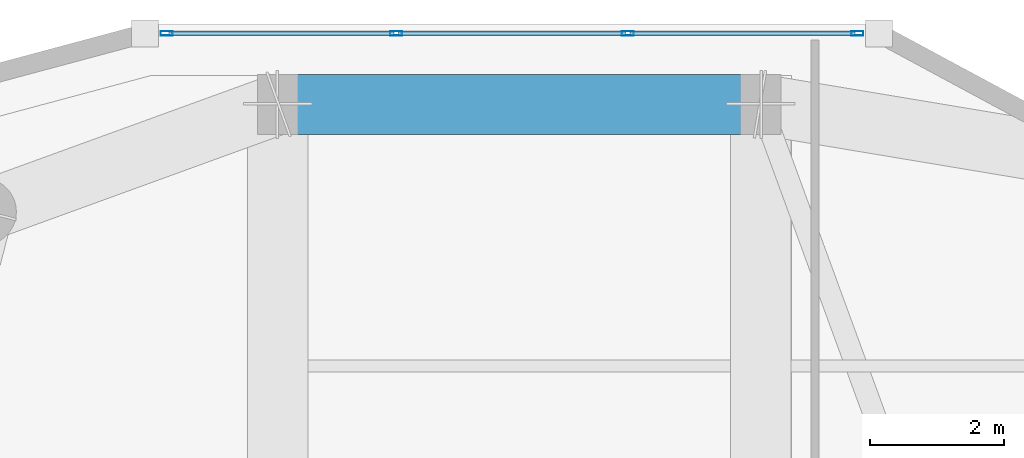
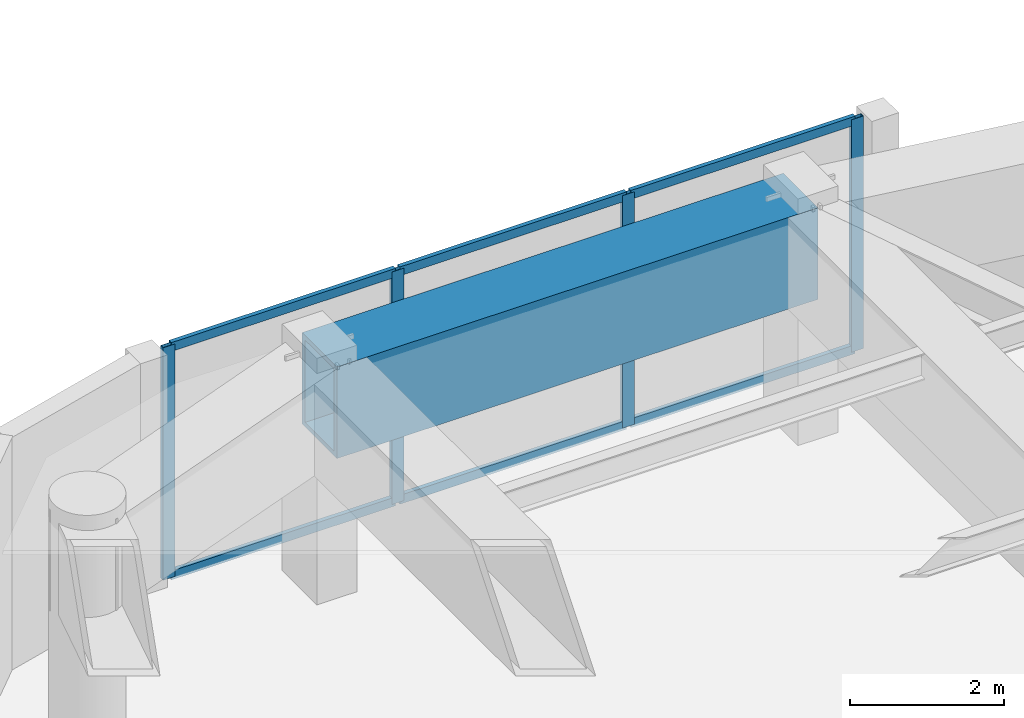
# One storey, part 10 of 21: 10 members, 1 beam, 1 element without a shape of its own.
"""IFC4 building model written with IfcOpenShell, lengths in metres."""

from ifc_helpers import new_model, si_unit, direction, frame, origin, origin_2d, place, context, subcontext, project, spatial, hollow_rectangle, extrude, material, layer, layer_set, material_profile, profile_set, type_object, element, aggregate, save


model = new_model("IFC4")

# Units and contexts
model_context = context("Model", 3, precision=1e-05, world=origin(), true_north=direction((0.0, 1.0)))
body_context = subcontext(model_context, "Body", "Model", "MODEL_VIEW")
ifc_project = project(units=[si_unit("LENGTHUNIT", "METRE"), si_unit("AREAUNIT", "SQUARE_METRE"), si_unit("VOLUMEUNIT", "CUBIC_METRE"), si_unit("PLANEANGLEUNIT", "RADIAN"), si_unit("MASSUNIT", "GRAM", prefix="KILO")], contexts=[model_context])

# Site, building, storey
site_placement = place(None, origin())
site = spatial("IfcSite", under=ifc_project, at=site_placement, CompositionType="ELEMENT")
building_placement = place(site_placement, origin())
building = spatial("IfcBuilding", under=site, at=building_placement, Name="Kiyonajd Concourse Tower", CompositionType="ELEMENT")
storey_placement = place(building_placement, frame((0.0, 0.0, 251.10009765625)))
storey = spatial("IfcBuildingStorey", under=building, at=storey_placement, Name="L63", CompositionType="ELEMENT", Elevation=251.10009765625)

# Beam
ifc_material_1 = material(Name="Steel ASTM A572 Grade 50", Category="steel")
ifc_material_profile_1 = material_profile(ifc_material_1, hollow_rectangle(XDim=0.89990234375, YDim=1.449951171875, WallThickness=0.074951171875, at=origin_2d()), Name="BOX-1450x900x75")
ifc_profile_set_1 = profile_set([ifc_material_profile_1], Name="Steel ASTM A572 Grade 50")
beam_type = type_object("IfcBeamType", Name="BM-XFER-1800", PredefinedType="BEAM", material=ifc_profile_set_1)
beam_placement = place(storey_placement, frame((39.60009765625, 61.199951171875, 2.934814453125), z_axis=(-1.0, 0.0, 0.0), x_axis=(0.0, -1.0, 0.0)))
element("IfcBeam", 1, at=beam_placement, inside=storey, type_object=beam_type, Name="L63 Perimeter Bundled Tube Spandrel", PredefinedType="BEAM", context=body_context, shape_type="SweptSolid", body=[
    extrude(hollow_rectangle(XDim=0.89990234375, YDim=1.449951171875, WallThickness=0.074951171875, at=origin_2d()), origin(), (0.0, 0.0, 1.0), 7.2001953125),
])

# Curtain wall, members
ifc_material_2 = material(Name="Thermally Broken Anodised Aluminium", Category="aluminium")
ifc_layer = layer(ifc_material_2, 0.179931640625)
ifc_layer_set = layer_set([ifc_layer], Name="Thermally Broken Anodised Aluminium")
curtain_wall_type = type_object("IfcCurtainWallType", Name="CW-SYS-04", PredefinedType="NOTDEFINED", material=ifc_layer_set)
curtain_wall_placement = place(storey_placement, origin())
curtain_wall = element("IfcCurtainWall", 2, at=curtain_wall_placement, inside=storey, type_object=curtain_wall_type, Name="L63 Unitised Curtain Wall CW4", PredefinedType="NOTDEFINED")
ifc_material_profile_2 = material_profile(ifc_material_2, hollow_rectangle(XDim=0.06494140625, YDim=0.179931640625, WallThickness=0.00390625, at=origin_2d()), Name="MULL-65x180")
ifc_profile_set_2 = profile_set([ifc_material_profile_2], Name="Thermally Broken Anodised Aluminium")
member_type_1 = type_object("IfcMemberType", Name="MB-CW-MULL1", PredefinedType="MULLION", material=ifc_profile_set_2)
member_1_placement = place(storey_placement, frame((30.740966796875, 62.260009765625, 0.0), z_axis=(0.0, 0.0, 1.0), x_axis=(0.0, 1.0, 0.0)))
member_1 = element("IfcMember", 3, at=member_1_placement, type_object=member_type_1, Name="CW4 mullion 1", PredefinedType="MULLION", context=body_context, shape_type="SweptSolid", body=[
    extrude(hollow_rectangle(XDim=0.06494140625, YDim=0.179931640625, WallThickness=0.00390625, at=origin_2d()), origin(), (0.0, 0.0, 1.0), 3.679931640625),
])
member_2_placement = place(storey_placement, frame((34.163818359375, 62.260009765625, 0.0), z_axis=(0.0, 0.0, 1.0), x_axis=(0.0, 1.0, 0.0)))
member_2 = element("IfcMember", 4, at=member_2_placement, type_object=member_type_1, Name="CW4 mullion 2", PredefinedType="MULLION", context=body_context, shape_type="SweptSolid", body=[
    extrude(hollow_rectangle(XDim=0.06494140625, YDim=0.179931640625, WallThickness=0.00390625, at=origin_2d()), origin(), (0.0, 0.0, 1.0), 3.679931640625),
])
member_3_placement = place(storey_placement, frame((37.619384765625, 62.260009765625, 0.0), z_axis=(0.0, 0.0, 1.0), x_axis=(0.0, 1.0, 0.0)))
member_3 = element("IfcMember", 5, at=member_3_placement, type_object=member_type_1, Name="CW4 mullion 3", PredefinedType="MULLION", context=body_context, shape_type="SweptSolid", body=[
    extrude(hollow_rectangle(XDim=0.06494140625, YDim=0.179931640625, WallThickness=0.00390625, at=origin_2d()), origin(), (0.0, 0.0, 1.0), 3.679931640625),
])
member_4_placement = place(storey_placement, frame((41.042236328125, 62.260009765625, 0.0), z_axis=(0.0, 0.0, 1.0), x_axis=(0.0, 1.0, 0.0)))
member_4 = element("IfcMember", 6, at=member_4_placement, type_object=member_type_1, Name="CW4 mullion 4", PredefinedType="MULLION", context=body_context, shape_type="SweptSolid", body=[
    extrude(hollow_rectangle(XDim=0.06494140625, YDim=0.179931640625, WallThickness=0.00390625, at=origin_2d()), origin(), (0.0, 0.0, 1.0), 3.679931640625),
])
ifc_material_profile_3 = material_profile(ifc_material_2, hollow_rectangle(XDim=0.06494140625, YDim=0.139892578125, WallThickness=0.00390625, at=origin_2d()), Name="TRAN-65x140")
ifc_profile_set_3 = profile_set([ifc_material_profile_3], Name="Thermally Broken Anodised Aluminium")
member_type_2 = type_object("IfcMemberType", Name="MB-CW-TRAN1", PredefinedType="USERDEFINED", material=ifc_profile_set_3)
member_5_placement = place(storey_placement, frame((30.7734375, 62.260009765625, 0.032470703125), z_axis=(1.0, 0.0, 0.0), x_axis=(0.0, 1.0, 0.0)))
member_5 = element("IfcMember", 7, at=member_5_placement, type_object=member_type_2, Name="CW4 transom 1.1", ObjectType="TRANSOM", PredefinedType="USERDEFINED", context=body_context, shape_type="SweptSolid", body=[
    extrude(hollow_rectangle(XDim=0.06494140625, YDim=0.139892578125, WallThickness=0.00390625, at=origin_2d()), origin(), (0.0, 0.0, 1.0), 3.35791015625),
])
member_6_placement = place(storey_placement, frame((30.7734375, 62.260009765625, 3.6474609375), z_axis=(1.0, 0.0, 0.0), x_axis=(0.0, 1.0, 0.0)))
member_6 = element("IfcMember", 8, at=member_6_placement, type_object=member_type_2, Name="CW4 transom 1.2", ObjectType="TRANSOM", PredefinedType="USERDEFINED", context=body_context, shape_type="SweptSolid", body=[
    extrude(hollow_rectangle(XDim=0.06494140625, YDim=0.139892578125, WallThickness=0.00390625, at=origin_2d()), origin(), (0.0, 0.0, 1.0), 3.35791015625),
])
member_7_placement = place(storey_placement, frame((34.1962890625, 62.260009765625, 0.032470703125), z_axis=(1.0, 0.0, 0.0), x_axis=(0.0, 1.0, 0.0)))
member_7 = element("IfcMember", 9, at=member_7_placement, type_object=member_type_2, Name="CW4 transom 2.1", ObjectType="TRANSOM", PredefinedType="USERDEFINED", context=body_context, shape_type="SweptSolid", body=[
    extrude(hollow_rectangle(XDim=0.06494140625, YDim=0.139892578125, WallThickness=0.00390625, at=origin_2d()), origin(), (0.0, 0.0, 1.0), 3.390380859375),
])
member_8_placement = place(storey_placement, frame((34.1962890625, 62.260009765625, 3.6474609375), z_axis=(1.0, 0.0, 0.0), x_axis=(0.0, 1.0, 0.0)))
member_8 = element("IfcMember", 10, at=member_8_placement, type_object=member_type_2, Name="CW4 transom 2.2", ObjectType="TRANSOM", PredefinedType="USERDEFINED", context=body_context, shape_type="SweptSolid", body=[
    extrude(hollow_rectangle(XDim=0.06494140625, YDim=0.139892578125, WallThickness=0.00390625, at=origin_2d()), origin(), (0.0, 0.0, 1.0), 3.390380859375),
])
member_9_placement = place(storey_placement, frame((37.65185546875, 62.260009765625, 0.032470703125), z_axis=(1.0, 0.0, 0.0), x_axis=(0.0, 1.0, 0.0)))
member_9 = element("IfcMember", 11, at=member_9_placement, type_object=member_type_2, Name="CW4 transom 3.1", ObjectType="TRANSOM", PredefinedType="USERDEFINED", context=body_context, shape_type="SweptSolid", body=[
    extrude(hollow_rectangle(XDim=0.06494140625, YDim=0.139892578125, WallThickness=0.00390625, at=origin_2d()), origin(), (0.0, 0.0, 1.0), 3.35791015625),
])
member_10_placement = place(storey_placement, frame((37.65185546875, 62.260009765625, 3.6474609375), z_axis=(1.0, 0.0, 0.0), x_axis=(0.0, 1.0, 0.0)))
member_10 = element("IfcMember", 12, at=member_10_placement, type_object=member_type_2, Name="CW4 transom 3.2", ObjectType="TRANSOM", PredefinedType="USERDEFINED", context=body_context, shape_type="SweptSolid", body=[
    extrude(hollow_rectangle(XDim=0.06494140625, YDim=0.139892578125, WallThickness=0.00390625, at=origin_2d()), origin(), (0.0, 0.0, 1.0), 3.35791015625),
])
aggregate(curtain_wall, [member_1, member_2, member_3, member_4, member_5, member_6, member_7, member_8, member_9, member_10])

save(model, "model.ifc")
